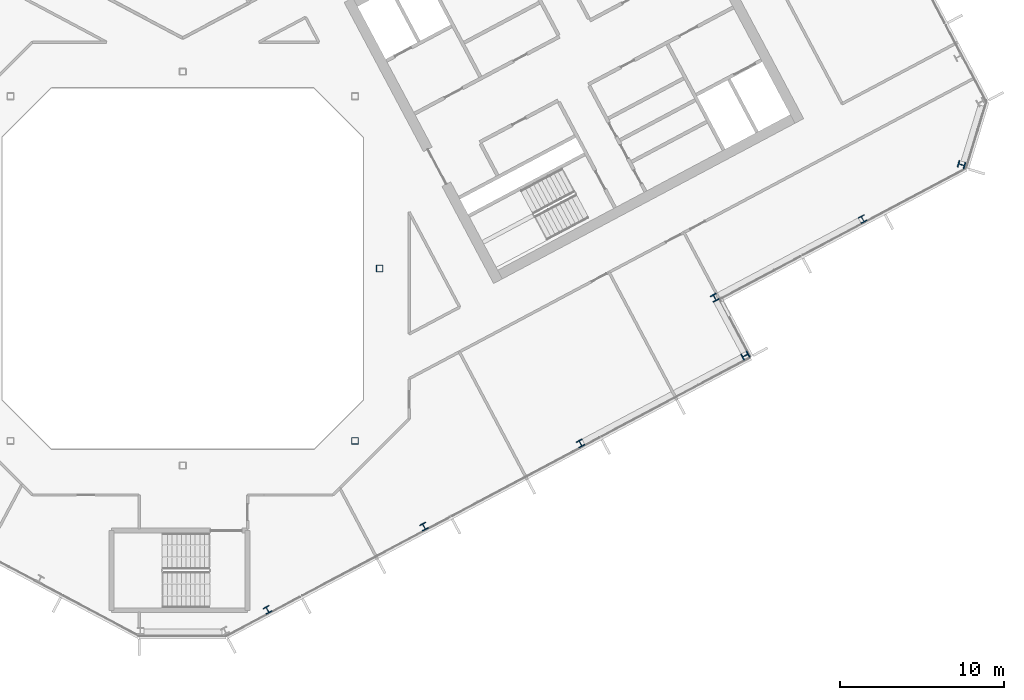
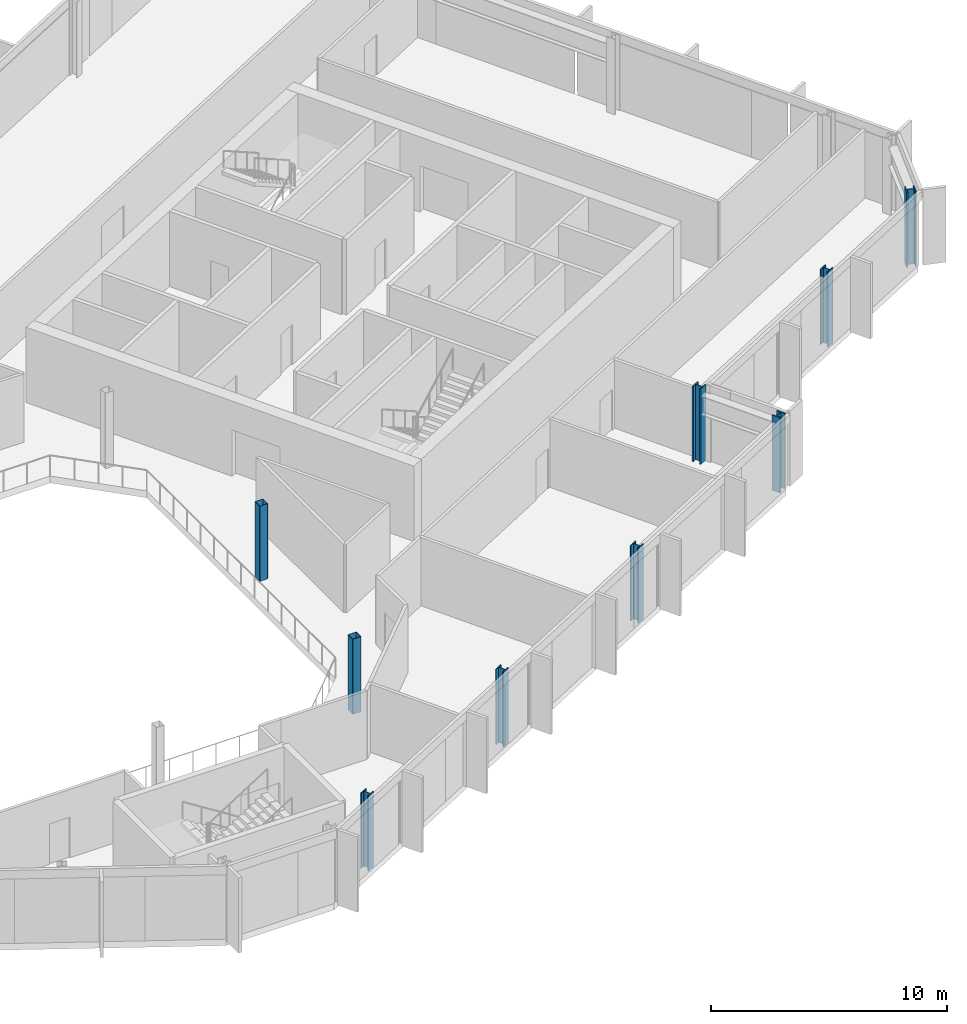
# One storey, part 5 of 26: 9 columns.
"""IFC4 building model written with IfcOpenShell, lengths in metres."""

import ifcopenshell
import ifcopenshell.guid

model = None  # the IFC model being written
_history = None  # IfcOwnerHistory: only IFC2X3 demands one
_inside = {}  # id of a spatial element -> (the spatial element, [elements in it])
_under = {}  # id of a project, library or spatial element -> (it, [spatial elements below it])
_declared = {}  # id of a project -> (the project, [libraries it declares])
_typed = {}  # id of a type object -> (the type object, [elements of that type])
_made_of = {}  # id of a material, layer set ... -> (it, [elements and type objects made of it])


def new_model(schema):
    """Start an empty IFC model of exactly this schema.

    Asked for "IFC4X3", IfcOpenShell would pick the latest addendum, in which some entities
    have other attributes; the version numbers below select the first issue.
    IFC2X3 requires an IfcOwnerHistory on every rooted entity: one is made here for all.
    """
    global model, _history
    if schema == "IFC4X3":
        model = ifcopenshell.file(schema_version=(4, 3, 0, 0))
    else:
        model = ifcopenshell.file(schema=schema)
    _inside.clear()
    _under.clear()
    _declared.clear()
    _typed.clear()
    _made_of.clear()
    _history = None
    if model.schema == "IFC2X3":
        org = make("IfcOrganization", Name="unknown")
        user = make(
            "IfcPersonAndOrganization",
            ThePerson=make("IfcPerson", FamilyName="unknown"),
            TheOrganization=org,
        )
        app = make(
            "IfcApplication",
            ApplicationDeveloper=org,
            Version="unknown",
            ApplicationFullName="unknown",
            ApplicationIdentifier="unknown",
        )
        _history = make(
            "IfcOwnerHistory",
            OwningUser=user,
            OwningApplication=app,
            ChangeAction="ADDED",
            CreationDate=0,
        )
    return model


def make(cls, **values):
    """One entity of the class cls with the attributes given. An attribute that is None is left unset."""
    return model.create_entity(
        cls, **{name: value for name, value in values.items() if value is not None}
    )


def rooted(cls, **values):
    """An entity with a GlobalId (a new one), such as an element, a storey or a relation."""
    return make(cls, GlobalId=ifcopenshell.guid.new(), OwnerHistory=_history, **values)


def si_unit(unit_type, name, prefix=None):
    """IfcSIUnit, for example si_unit("LENGTHUNIT", "METRE", prefix="MILLI")."""
    return make("IfcSIUnit", UnitType=unit_type, Prefix=prefix, Name=name)


def assignment(units):
    """IfcUnitAssignment: the units of a project."""
    return None if units is None else make("IfcUnitAssignment", Units=units)


def point(xyz):
    """IfcCartesianPoint."""
    return None if xyz is None else make("IfcCartesianPoint", Coordinates=xyz)


def direction(xyz):
    """IfcDirection."""
    return None if xyz is None else make("IfcDirection", DirectionRatios=xyz)


def frame(location, z_axis=None, x_axis=None):
    """IfcAxis2Placement3D, a coordinate frame: its origin and axes. An axis left out is left unset."""
    return make(
        "IfcAxis2Placement3D",
        Location=point(location),
        Axis=direction(z_axis),
        RefDirection=direction(x_axis),
    )


def frame_2d(location, x_axis=None):
    """IfcAxis2Placement2D, a coordinate frame in the plane: its origin and x axis."""
    return make(
        "IfcAxis2Placement2D", Location=point(location), RefDirection=direction(x_axis)
    )


def origin():
    """The frame at (0, 0, 0) with its axes left unset."""
    return frame((0.0, 0.0, 0.0))


def origin_2d():
    """The frame at (0, 0) in the plane with its x axis left unset."""
    return frame_2d((0.0, 0.0))


def place(relative_to, where):
    """IfcLocalPlacement: puts the frame where relative to a parent placement (None: the world)."""
    return make(
        "IfcLocalPlacement", PlacementRelTo=relative_to, RelativePlacement=where
    )


def context(
    kind, dimensions, precision=None, world=None, true_north=None, identifier=None
):
    """IfcGeometricRepresentationContext, for example the 3D "Model" context."""
    return make(
        "IfcGeometricRepresentationContext",
        ContextIdentifier=identifier,
        ContextType=kind,
        CoordinateSpaceDimension=dimensions,
        Precision=precision,
        WorldCoordinateSystem=world,
        TrueNorth=true_north,
    )


def subcontext(parent, identifier, kind, view, scale=None):
    """IfcGeometricRepresentationSubContext, for example "Body" below "Model"."""
    return make(
        "IfcGeometricRepresentationSubContext",
        ContextIdentifier=identifier,
        ContextType=kind,
        ParentContext=parent,
        TargetScale=scale,
        TargetView=view,
    )


def project(units=None, contexts=None):
    """IfcProject with its units and contexts."""
    return rooted(
        "IfcProject",
        Name="project",
        RepresentationContexts=contexts,
        UnitsInContext=assignment(units),
    )


def spatial(cls, under=None, at=None, **own):
    """A site, building, storey or space (cls), placed at a placement, below another one or the project."""
    s = rooted(cls, ObjectPlacement=at, **own)
    if under is not None:
        _under.setdefault(under.id(), (under, []))[1].append(s)
    return s


def profile(cls, at=None, kind="AREA", **sizes):
    """A parametric profile (cls). Its sizes go by their IFC names, for example OverallWidth=200.0."""
    return make(cls, ProfileType=kind, Position=at, **sizes)


def hollow_rectangle(**sizes):
    """IfcRectangleHollowProfileDef."""
    return profile("IfcRectangleHollowProfileDef", **sizes)


def i_section(**sizes):
    """IfcIShapeProfileDef."""
    return profile("IfcIShapeProfileDef", **sizes)


def extrude(swept, where, along, depth):
    """IfcExtrudedAreaSolid: the profile swept, set in the frame where, extruded along a direction by depth."""
    return make(
        "IfcExtrudedAreaSolid",
        SweptArea=swept,
        Position=where,
        ExtrudedDirection=direction(along),
        Depth=depth,
    )


def shape(context_of_items, identifier, shape_type, items):
    """IfcShapeRepresentation: the items that make up one representation, for example the "Body"."""
    return make(
        "IfcShapeRepresentation",
        ContextOfItems=context_of_items,
        RepresentationIdentifier=identifier,
        RepresentationType=shape_type,
        Items=items,
    )


def material(Name=None, Category=None):
    """IfcMaterial."""
    return make("IfcMaterial", Name=Name, Category=Category)


def material_profile(
    of_material, cross_section, Name=None, Category=None, Priority=None
):
    """IfcMaterialProfile: a cross section and its material."""
    return make(
        "IfcMaterialProfile",
        Name=Name,
        Material=of_material,
        Profile=cross_section,
        Priority=Priority,
        Category=Category,
    )


def profile_set(profiles, Name=None, composite=None):
    """IfcMaterialProfileSet."""
    return make(
        "IfcMaterialProfileSet",
        Name=Name,
        MaterialProfiles=profiles,
        CompositeProfile=composite,
    )


def made_of(thing, what):
    """Note that an element or type object is made of a material, layer set ...; save() writes the relation."""
    if what is not None:
        _made_of.setdefault(what.id(), (what, []))[1].append(thing)
    return thing


def type_object(cls, material=None, **own):
    """A type object (cls), such as IfcWallType, which elements share."""
    return made_of(rooted(cls, **own), material)


def element(
    cls,
    number,
    at=None,
    inside=None,
    cuts=None,
    type_object=None,
    material=None,
    context=None,
    identifier="Body",
    shape_type=None,
    held_by="IfcProductDefinitionShape",
    body=None,
    shapes=None,
    **own,
):
    """One element of the class cls, such as IfcWall. Its Tag is "e" and its number.

    at: its placement. inside: the storey or other place that contains it. cuts: it is an
    opening in that element (IfcRelVoidsElement). A single representation is given by context,
    identifier, shape_type and body (its items); several are given by shapes. held_by: the class
    of the entity that holds the representations. save() writes the other relations.
    """
    e = rooted(cls, Tag="e%d" % number, ObjectPlacement=at, **own)
    if body is not None:
        shapes = [shape(context, identifier, shape_type, body)]
    if shapes is not None:
        e.Representation = make(held_by, Representations=shapes)
    if inside is not None:
        _inside.setdefault(inside.id(), (inside, []))[1].append(e)
    if cuts is not None:
        rooted(
            "IfcRelVoidsElement", RelatingBuildingElement=cuts, RelatedOpeningElement=e
        )
    if type_object is not None:
        _typed.setdefault(type_object.id(), (type_object, []))[1].append(e)
    return made_of(e, material)


def aggregate(whole, parts):
    """IfcRelAggregates: a whole, such as a stair, and the parts it consists of."""
    return rooted("IfcRelAggregates", RelatingObject=whole, RelatedObjects=parts)


def save(model, path):
    """Write the relations noted so far, then the file.

    IfcRelAggregates (storeys below a building ...), IfcRelContainedInSpatialStructure (elements
    in a storey), IfcRelDefinesByType, IfcRelAssociatesMaterial and IfcRelDeclares: one each for
    every whole, place, type object, material and project.
    """
    for whole, parts in _under.values():
        aggregate(whole, parts)
    for where, things in _inside.values():
        rooted(
            "IfcRelContainedInSpatialStructure",
            RelatedElements=things,
            RelatingStructure=where,
        )
    for kind, things in _typed.values():
        rooted("IfcRelDefinesByType", RelatedObjects=things, RelatingType=kind)
    for what, things in _made_of.values():
        rooted("IfcRelAssociatesMaterial", RelatedObjects=things, RelatingMaterial=what)
    for by, libraries in _declared.values():
        rooted("IfcRelDeclares", RelatingContext=by, RelatedDefinitions=libraries)
    model.write(path)


model = new_model("IFC4")

# Units and contexts
model_context = context("Model", 3, precision=1e-05, world=origin(), true_north=direction((0.0, 1.0)))
body_context = subcontext(model_context, "Body", "Model", "MODEL_VIEW")
ifc_project = project(units=[si_unit("LENGTHUNIT", "METRE"), si_unit("AREAUNIT", "SQUARE_METRE"), si_unit("VOLUMEUNIT", "CUBIC_METRE"), si_unit("PLANEANGLEUNIT", "RADIAN"), si_unit("MASSUNIT", "GRAM", prefix="KILO")], contexts=[model_context])

# Site, building, storey
site_placement = place(None, origin())
site = spatial("IfcSite", under=ifc_project, at=site_placement, CompositionType="ELEMENT")
building_placement = place(site_placement, origin())
building = spatial("IfcBuilding", under=site, at=building_placement, Name="Cormorant Relay Tower", CompositionType="ELEMENT")
storey_placement = place(building_placement, frame((0.0, 0.0, 205.199951171875)))
storey = spatial("IfcBuildingStorey", under=building, at=storey_placement, Name="L44", CompositionType="ELEMENT", Elevation=205.199951171875)

# Columns
ifc_material_1 = material(Name="Steel ASTM A500 Grade C (Fy 345 MPa)", Category="steel")
ifc_material_profile_1 = material_profile(ifc_material_1, hollow_rectangle(XDim=0.406494140625, YDim=0.406494140625, WallThickness=0.0146484375, InnerFilletRadius=0.00732421875, OuterFilletRadius=0.022216796875, at=origin_2d()), Name="HSS406x406x15")
ifc_profile_set_1 = profile_set([ifc_material_profile_1], Name="Steel ASTM A500 Grade C (Fy 345 MPa)")
column_type_1 = type_object("IfcColumnType", Name="Column HSS406x406x15", PredefinedType="COLUMN", material=ifc_profile_set_1)
for number, where, z_axis, x_axis, name in (
    (1, (10.5, -10.5, 0.0), (0.0, 0.0, 1.0), (1.0, 0.0, 0.0), "Column L44-010"),
    (2, (12.0, 0.0, 0.0), (0.0, 0.0, 1.0), (1.0, 0.0, 0.0), "Column L44-016"),
):
    element("IfcColumn", number, at=place(storey_placement, frame(where, z_axis=z_axis, x_axis=x_axis)), inside=storey, type_object=column_type_1, Name=name, PredefinedType="COLUMN", context=body_context, shape_type="SweptSolid", body=[
        extrude(hollow_rectangle(XDim=0.406494140625, YDim=0.406494140625, WallThickness=0.0146484375, InnerFilletRadius=0.00732421875, OuterFilletRadius=0.022216796875, at=origin_2d()), origin(), (0.0, 0.0, 1.0), 3.900146484375),
    ])
ifc_material_2 = material(Name="Steel ASTM A992 (Fy 345 MPa)", Category="steel")
ifc_material_profile_2 = material_profile(ifc_material_2, i_section(OverallWidth=0.40380859375, OverallDepth=0.406494140625, WebThickness=0.027099609375, FlangeThickness=0.043701171875, FilletRadius=0.01513671875, at=origin_2d()), Name="W360x347")
ifc_profile_set_2 = profile_set([ifc_material_profile_2], Name="Steel ASTM A992 (Fy 345 MPa)")
column_type_2 = type_object("IfcColumnType", Name="Column W360x347", PredefinedType="COLUMN", material=ifc_profile_set_2)
for number, where, z_axis, x_axis, name in (
    (3, (5.1689453125, -20.798095703125, 0.0), (0.0, 0.0, 1.0), (0.882947592859, 0.469471562786, 0.0), "Column L44-003"),
    (4, (14.705078125, -15.72705078125, 0.0), (0.0, 0.0, 1.0), (0.882947592859, 0.469471562786, 0.0), "Column L44-005"),
    (5, (24.240966796875, -10.656982421875, 0.0), (0.0, 0.0, 1.0), (0.882947592859, 0.469471562786, 0.0), "Column L44-008"),
    (6, (41.43408203125, 3.014892578125, 0.0), (0.0, 0.0, 1.0), (0.882947592859, 0.469471562786, 0.0), "Column L44-019"),
):
    element("IfcColumn", number, at=place(storey_placement, frame(where, z_axis=z_axis, x_axis=x_axis)), inside=storey, type_object=column_type_2, Name=name, PredefinedType="COLUMN", context=body_context, shape_type="SweptSolid", body=[
        extrude(i_section(OverallWidth=0.40380859375, OverallDepth=0.406494140625, WebThickness=0.027099609375, FlangeThickness=0.043701171875, FilletRadius=0.01513671875, at=origin_2d()), origin(), (0.0, 0.0, 1.0), 3.900146484375),
    ])
ifc_material_3 = material(Name="Steel ASTM A992 (Fy 345 MPa)", Category="steel")
ifc_material_profile_3 = material_profile(ifc_material_3, i_section(OverallWidth=0.41162109375, OverallDepth=0.434326171875, WebThickness=0.035888671875, FlangeThickness=0.057373046875, FilletRadius=0.01513671875, at=origin_2d()), Name="W360x463")
ifc_profile_set_3 = profile_set([ifc_material_profile_3], Name="Steel ASTM A992 (Fy 345 MPa)")
column_type_3 = type_object("IfcColumnType", Name="Column W360x463", PredefinedType="COLUMN", material=ifc_profile_set_3)
for number, where, z_axis, x_axis, name in (
    (7, (34.284912109375, -5.305908203125, 0.0), (0.0, 0.0, 1.0), (-0.469471562786, 0.882947592859, 0.0), "Column L44-012"),
    (8, (32.4169921875, -1.777099609375, 0.0), (0.0, 0.0, 1.0), (0.882947592859, 0.469471562786, 0.0), "Column L44-014"),
    (9, (47.458984375, 6.325927734375, 0.0), (0.0, 0.0, 1.0), (0.292371704723, 0.956304755963, 0.0), "Column L44-020"),
):
    element("IfcColumn", number, at=place(storey_placement, frame(where, z_axis=z_axis, x_axis=x_axis)), inside=storey, type_object=column_type_3, Name=name, PredefinedType="COLUMN", context=body_context, shape_type="SweptSolid", body=[
        extrude(i_section(OverallWidth=0.41162109375, OverallDepth=0.434326171875, WebThickness=0.035888671875, FlangeThickness=0.057373046875, FilletRadius=0.01513671875, at=origin_2d()), origin(), (0.0, 0.0, 1.0), 3.900146484375),
    ])

save(model, "model.ifc")
